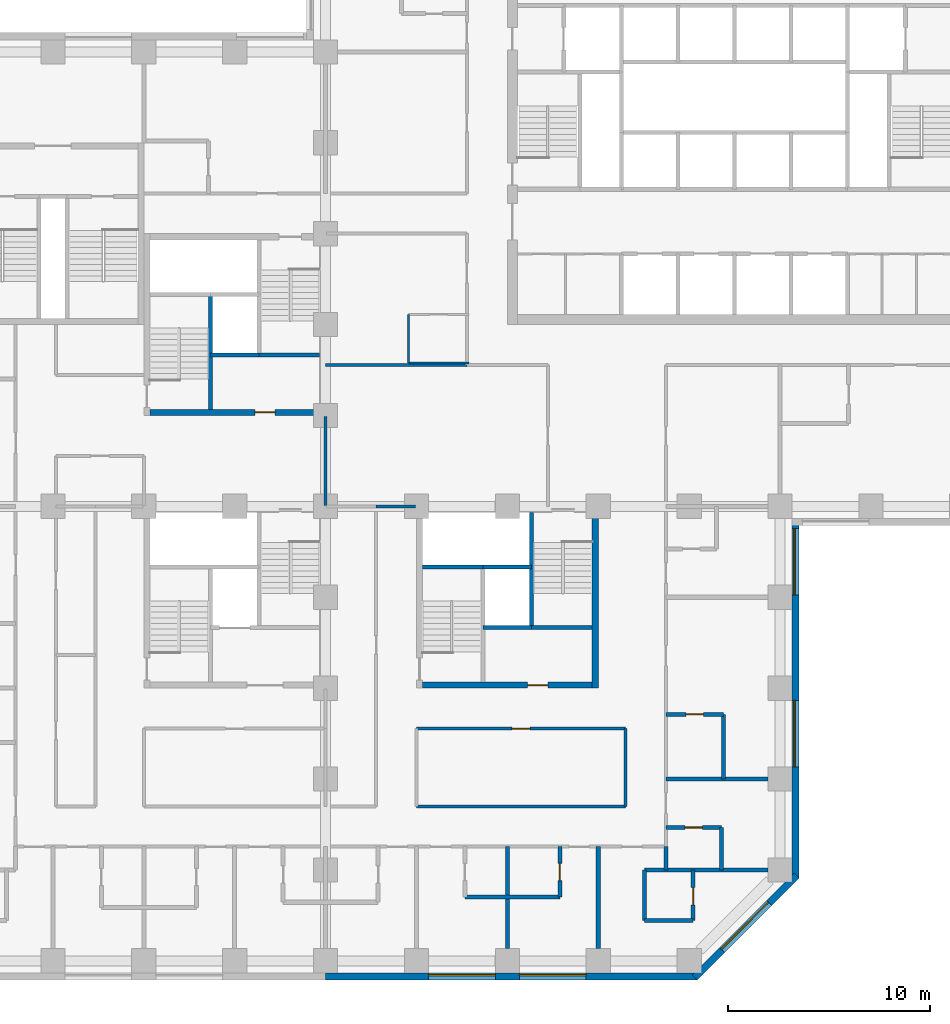
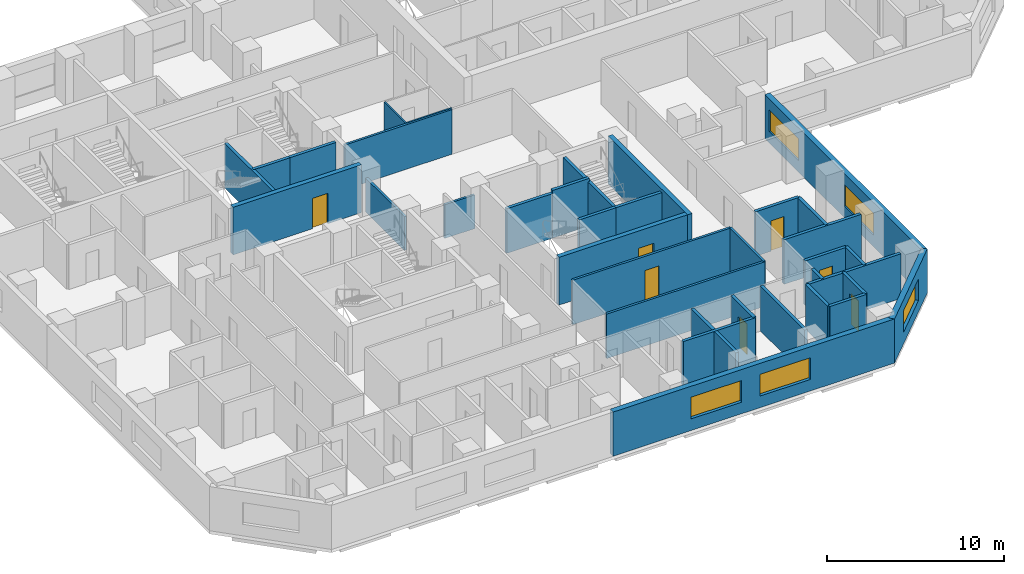
# One storey, part 4 of 12: 36 walls, 7 doors, 5 windows, 12 openings.
"""IFC4 building model written with IfcOpenShell, lengths in metres."""

from ifc_helpers import new_model, si_unit, direction, frame, frame_2d, origin, place, context, subcontext, project, spatial, rectangle, extrude, material, layer, layer_set, constituent, constituent_set, type_object, element, fill, save


model = new_model("IFC4")

# Units and contexts
model_context = context("Model", 3, precision=1e-05, world=origin(), true_north=direction((0.0, 1.0)))
body_context = subcontext(model_context, "Body", "Model", "MODEL_VIEW")
ifc_project = project(units=[si_unit("LENGTHUNIT", "METRE"), si_unit("AREAUNIT", "SQUARE_METRE"), si_unit("VOLUMEUNIT", "CUBIC_METRE"), si_unit("PLANEANGLEUNIT", "RADIAN"), si_unit("MASSUNIT", "GRAM", prefix="KILO")], contexts=[model_context])

# Site, building, storey
site_placement = place(None, origin())
site = spatial("IfcSite", under=ifc_project, at=site_placement, CompositionType="ELEMENT")
building_placement = place(site_placement, origin())
building = spatial("IfcBuilding", under=site, at=building_placement, Name="Quoin Convention Tower", CompositionType="ELEMENT")
storey_placement = place(building_placement, frame((0.0, 0.0, 29.699951171875)))
storey = spatial("IfcBuildingStorey", under=building, at=storey_placement, Name="L06", CompositionType="ELEMENT", Elevation=29.699951171875)

# Wall, openings, windows
ifc_material_1 = material(Name="Brick masonry", Category="masonry")
ifc_layer_1 = layer(ifc_material_1, 0.35009765625)
ifc_layer_set_1 = layer_set([ifc_layer_1], Name="Brick masonry")
wall_type_1 = type_object("IfcWallType", Name="Brick facade wall", PredefinedType="STANDARD", material=ifc_layer_set_1)
wall_1_placement = place(storey_placement, frame((36.0, 17.22509765625, 0.0), z_axis=(0.0, 0.0, 1.0), x_axis=(1.0, 0.0, 0.0)))
wall_1 = element("IfcWall", 1, at=wall_1_placement, inside=storey, type_object=wall_type_1, Name="fw-L06-36000_18000", PredefinedType="STANDARD", context=body_context, shape_type="SweptSolid", body=[
    extrude(rectangle(XDim=18.3935546875, YDim=0.35009765625, at=frame_2d((9.19677734375, 0.0))), origin(), (0.0, 0.0, 1.0), 3.054931640625),
])
opening_1_placement = place(wall_1_placement, frame((5.10009765625, 0.0, 0.800048828125)))
opening_1 = element("IfcOpeningElement", 2, at=opening_1_placement, cuts=wall_1, Name="Opening W-01", PredefinedType="OPENING", context=body_context, shape_type="SweptSolid", body=[
    extrude(rectangle(XDim=3.300048828125, YDim=1.5, at=frame_2d((1.64990234375, 0.75))), frame((0.0, 0.18505859375, 0.0), z_axis=(0.0, -1.0, 0.0), x_axis=(1.0, 0.0, 0.0)), (0.0, 0.0, 1.0), 0.3701171875),
])
opening_2_placement = place(wall_1_placement, frame((9.60009765625, 0.0, 0.800048828125)))
opening_2 = element("IfcOpeningElement", 3, at=opening_2_placement, cuts=wall_1, Name="Opening W-01", PredefinedType="OPENING", context=body_context, shape_type="SweptSolid", body=[
    extrude(rectangle(XDim=3.300048828125, YDim=1.5, at=frame_2d((1.64990234375, 0.75))), frame((0.0, 0.18505859375, 0.0), z_axis=(0.0, -1.0, 0.0), x_axis=(1.0, 0.0, 0.0)), (0.0, 0.0, 1.0), 0.3701171875),
])
ifc_material_2 = material(Name="Aluminium", Category="aluminium")
ifc_constituent_1 = constituent(ifc_material_2, Name="Frame")
ifc_material_3 = material(Name="Insulated glass", Category="glass")
ifc_constituent_2 = constituent(ifc_material_3, Name="Glazing")
ifc_constituent_set = constituent_set(constituents=[ifc_constituent_1, ifc_constituent_2], Name="Aluminium")
window_type = type_object("IfcWindowType", Name="Hotel strip window", PartitioningType="DOUBLE_PANEL_VERTICAL", PredefinedType="WINDOW", material=ifc_constituent_set)
window_1_placement = place(opening_1_placement, origin())
window_1 = element("IfcWindow", 4, at=window_1_placement, inside=storey, type_object=window_type, Name="win-L06-42750_17225", OverallHeight=1.5, OverallWidth=3.300048828125, PartitioningType="SINGLE_PANEL", PredefinedType="WINDOW", context=body_context, shape_type="SweptSolid", body=[
    extrude(rectangle(XDim=3.300048828125, YDim=1.5, at=frame_2d((1.64990234375, 0.75))), frame((0.0, 0.0849609375, 0.0), z_axis=(0.0, -1.0, 0.0), x_axis=(1.0, 0.0, 0.0)), (0.0, 0.0, 1.0), 0.06005859375),
])
fill(opening_1, window_1)
window_2_placement = place(opening_2_placement, origin())
window_2 = element("IfcWindow", 5, at=window_2_placement, inside=storey, type_object=window_type, Name="win-L06-47250_17225", OverallHeight=1.5, OverallWidth=3.300048828125, PartitioningType="SINGLE_PANEL", PredefinedType="WINDOW", context=body_context, shape_type="SweptSolid", body=[
    extrude(rectangle(XDim=3.300048828125, YDim=1.5, at=frame_2d((1.64990234375, 0.75))), frame((0.0, 0.0849609375, 0.0), z_axis=(0.0, -1.0, 0.0), x_axis=(1.0, 0.0, 0.0)), (0.0, 0.0, 1.0), 0.06005859375),
])
fill(opening_2, window_2)

# Wall, opening, window
wall_2_placement = place(storey_placement, frame((54.269775390625, 17.173583984375, 0.0), z_axis=(0.0, 0.0, 1.0), x_axis=(0.707106781187, 0.707106781187, 0.0)))
wall_2 = element("IfcWall", 6, at=wall_2_placement, inside=storey, type_object=wall_type_1, Name="fw-L06-54000_18000", PredefinedType="STANDARD", context=body_context, shape_type="SweptSolid", body=[
    extrude(rectangle(XDim=7.151123046875, YDim=0.35009765625, at=frame_2d((3.57568359375, 0.0))), origin(), (0.0, 0.0, 1.0), 3.054931640625),
])
opening_3_placement = place(wall_2_placement, frame((1.925537109375, 0.0, 0.800048828125)))
opening_3 = element("IfcOpeningElement", 7, at=opening_3_placement, cuts=wall_2, Name="Opening W-01", PredefinedType="OPENING", context=body_context, shape_type="SweptSolid", body=[
    extrude(rectangle(XDim=3.300048828125, YDim=1.5, at=frame_2d((1.64990234375, 0.75))), frame((0.0, 0.18505859375, 0.0), z_axis=(0.0, -1.0, 0.0), x_axis=(1.0, 0.0, 0.0)), (0.0, 0.0, 1.0), 0.3701171875),
])
window_3_placement = place(opening_3_placement, origin())
window_3 = element("IfcWindow", 8, at=window_3_placement, inside=storey, type_object=window_type, Name="win-L06-56798_19702", OverallHeight=1.5, OverallWidth=3.300048828125, PartitioningType="SINGLE_PANEL", PredefinedType="WINDOW", context=body_context, shape_type="SweptSolid", body=[
    extrude(rectangle(XDim=3.300048828125, YDim=1.5, at=frame_2d((1.64990234375, 0.75))), frame((0.0, 0.0849609375, 0.0), z_axis=(0.0, -1.0, 0.0), x_axis=(1.0, 0.0, 0.0)), (0.0, 0.0, 1.0), 0.06005859375),
])
fill(opening_3, window_3)

# Wall, openings, windows
wall_3_placement = place(storey_placement, frame((59.27490234375, 22.1064453125, 0.0), z_axis=(0.0, 0.0, 1.0), x_axis=(0.0, 1.0, 0.0)))
wall_3 = element("IfcWall", 9, at=wall_3_placement, inside=storey, type_object=wall_type_1, Name="fw-L06-58500_22500", PredefinedType="STANDARD", context=body_context, shape_type="SweptSolid", body=[
    extrude(rectangle(XDim=17.79345703125, YDim=0.35009765625, at=frame_2d((8.896728515625, 0.0))), origin(), (0.0, 0.0, 1.0), 3.054931640625),
])
opening_4_placement = place(wall_3_placement, frame((5.493408203125, 0.0, 0.800048828125)))
opening_4 = element("IfcOpeningElement", 10, at=opening_4_placement, cuts=wall_3, Name="Opening W-01", PredefinedType="OPENING", context=body_context, shape_type="SweptSolid", body=[
    extrude(rectangle(XDim=3.300048828125, YDim=1.5, at=frame_2d((1.64990234375, 0.75))), frame((0.0, 0.18505859375, 0.0), z_axis=(0.0, -1.0, 0.0), x_axis=(1.0, 0.0, 0.0)), (0.0, 0.0, 1.0), 0.3701171875),
])
opening_5_placement = place(wall_3_placement, frame((13.993408203125, 0.0, 0.800048828125)))
opening_5 = element("IfcOpeningElement", 11, at=opening_5_placement, cuts=wall_3, Name="Opening W-01", PredefinedType="OPENING", context=body_context, shape_type="SweptSolid", body=[
    extrude(rectangle(XDim=3.300048828125, YDim=1.5, at=frame_2d((1.64990234375, 0.75))), frame((0.0, 0.18505859375, 0.0), z_axis=(0.0, -1.0, 0.0), x_axis=(1.0, 0.0, 0.0)), (0.0, 0.0, 1.0), 0.3701171875),
])
window_4_placement = place(opening_4_placement, origin())
window_4 = element("IfcWindow", 12, at=window_4_placement, inside=storey, type_object=window_type, Name="win-L06-59275_29250", OverallHeight=1.5, OverallWidth=3.300048828125, PartitioningType="SINGLE_PANEL", PredefinedType="WINDOW", context=body_context, shape_type="SweptSolid", body=[
    extrude(rectangle(XDim=3.300048828125, YDim=1.5, at=frame_2d((1.64990234375, 0.75))), frame((0.0, 0.0849609375, 0.0), z_axis=(0.0, -1.0, 0.0), x_axis=(1.0, 0.0, 0.0)), (0.0, 0.0, 1.0), 0.06005859375),
])
fill(opening_4, window_4)
window_5_placement = place(opening_5_placement, origin())
window_5 = element("IfcWindow", 13, at=window_5_placement, inside=storey, type_object=window_type, Name="win-L06-59275_38250", OverallHeight=1.5, OverallWidth=3.300048828125, PartitioningType="SINGLE_PANEL", PredefinedType="WINDOW", context=body_context, shape_type="SweptSolid", body=[
    extrude(rectangle(XDim=3.300048828125, YDim=1.5, at=frame_2d((1.64990234375, 0.75))), frame((0.0, 0.0849609375, 0.0), z_axis=(0.0, -1.0, 0.0), x_axis=(1.0, 0.0, 0.0)), (0.0, 0.0, 1.0), 0.06005859375),
])
fill(opening_5, window_5)

# Walls
ifc_material_4 = material(Name="Concrete C50", Category="concrete")
ifc_layer_2 = layer(ifc_material_4, 0.199951171875)
ifc_layer_set_2 = layer_set([ifc_layer_2], Name="Concrete C50")
wall_type_2 = type_object("IfcWallType", Name="Core shaft wall", PredefinedType="SOLIDWALL", material=ifc_layer_set_2)
wall_4_placement = place(storey_placement, frame((30.300048828125, 48.0, 0.0), z_axis=(0.0, 0.0, 1.0), x_axis=(1.0, 0.0, 0.0)))
element("IfcWall", 14, at=wall_4_placement, inside=storey, type_object=wall_type_2, Name="cr-P2-L06-h3000_3300", PredefinedType="SOLIDWALL", context=body_context, shape_type="SweptSolid", body=[
    extrude(rectangle(XDim=2.39990234375, YDim=0.199951171875, at=frame_2d((1.199951171875, 0.0))), origin(), (0.0, 0.0, 1.0), 3.080078125),
])
wall_5_placement = place(storey_placement, frame((32.699951171875, 48.0, 0.0), z_axis=(0.0, 0.0, 1.0), x_axis=(1.0, 0.0, 0.0)))
element("IfcWall", 15, at=wall_5_placement, inside=storey, type_object=wall_type_2, Name="cr-P2-L06-h3000_5700", PredefinedType="SOLIDWALL", context=body_context, shape_type="SweptSolid", body=[
    extrude(rectangle(XDim=3.0, YDim=0.199951171875, at=frame_2d((1.5, 0.0))), origin(), (0.0, 0.0, 1.0), 3.080078125),
])
wall_6_placement = place(storey_placement, frame((30.300048828125, 45.300048828125, 0.0), z_axis=(0.0, 0.0, 1.0), x_axis=(0.0, 1.0, 0.0)))
element("IfcWall", 16, at=wall_6_placement, inside=storey, type_object=wall_type_2, Name="cr-P2-L06-v3300_300", PredefinedType="SOLIDWALL", context=body_context, shape_type="SweptSolid", body=[
    extrude(rectangle(XDim=5.699951171875, YDim=0.199951171875, at=frame_2d((2.85009765625, 0.0))), origin(), (0.0, 0.0, 1.0), 3.080078125),
])
wall_7_placement = place(storey_placement, frame((43.800048828125, 34.5, 0.0), z_axis=(0.0, 0.0, 1.0), x_axis=(1.0, 0.0, 0.0)))
element("IfcWall", 17, at=wall_7_placement, inside=storey, type_object=wall_type_2, Name="cr-P3-L06-h3000_3300", PredefinedType="SOLIDWALL", context=body_context, shape_type="SweptSolid", body=[
    extrude(rectangle(XDim=2.39990234375, YDim=0.199951171875, at=frame_2d((1.199951171875, 0.0))), origin(), (0.0, 0.0, 1.0), 3.080078125),
])
for number, where, z_axis, x_axis, name in (
    (18, (46.199951171875, 34.5, 0.0), (0.0, 0.0, 1.0), (1.0, 0.0, 0.0), "cr-P3-L06-h3000_5700"),
    (19, (40.800048828125, 37.5, 0.0), (0.0, 0.0, 1.0), (1.0, 0.0, 0.0), "cr-P3-L06-h6000_300"),
):
    element("IfcWall", number, at=place(storey_placement, frame(where, z_axis=z_axis, x_axis=x_axis)), inside=storey, type_object=wall_type_2, Name=name, PredefinedType="SOLIDWALL", context=body_context, shape_type="SweptSolid", body=[
        extrude(rectangle(XDim=3.0, YDim=0.199951171875, at=frame_2d((1.5, 0.0))), origin(), (0.0, 0.0, 1.0), 3.080078125),
    ])
wall_8_placement = place(storey_placement, frame((46.199951171875, 34.5, 0.0), z_axis=(0.0, 0.0, 1.0), x_axis=(0.0, 1.0, 0.0)))
element("IfcWall", 20, at=wall_8_placement, inside=storey, type_object=wall_type_2, Name="cr-P3-L06-v5700_3000", PredefinedType="SOLIDWALL", context=body_context, shape_type="SweptSolid", body=[
    extrude(rectangle(XDim=5.699951171875, YDim=0.199951171875, at=frame_2d((2.85009765625, 0.0))), origin(), (0.0, 0.0, 1.0), 3.080078125),
])
ifc_layer_3 = layer(ifc_material_4, 0.199951171875)
ifc_layer_set_3 = layer_set([ifc_layer_3], Name="Concrete C50")
wall_type_3 = type_object("IfcWallType", Name="Core shaft wall to the floor level over", PredefinedType="SOLIDWALL", material=ifc_layer_set_3)
wall_9_placement = place(storey_placement, frame((43.800048828125, 37.5, 0.0), z_axis=(0.0, 0.0, 1.0), x_axis=(1.0, 0.0, 0.0)))
element("IfcWall", 21, at=wall_9_placement, inside=storey, type_object=wall_type_3, Name="cr-P3-L06-h6000_3300", PredefinedType="SOLIDWALL", context=body_context, shape_type="SweptSolid", body=[
    extrude(rectangle(XDim=2.39990234375, YDim=0.199951171875, at=frame_2d((1.199951171875, 0.0))), origin(), (0.0, 0.0, 1.0), 3.300048828125),
])

# Wall, opening, door
ifc_material_5 = material(Name="Concrete C80", Category="concrete")
ifc_layer_4 = layer(ifc_material_5, 0.300048828125)
ifc_layer_set_4 = layer_set([ifc_layer_4], Name="Concrete C80")
wall_type_4 = type_object("IfcWallType", Name="RC CORE WALL 300 C80", PredefinedType="SHEAR", material=ifc_layer_set_4)
wall_10_placement = place(storey_placement, frame((27.300048828125, 45.14990234375, 0.0), z_axis=(0.0, 0.0, 1.0), x_axis=(1.0, 0.0, 0.0)))
wall_10 = element("IfcWall", 22, at=wall_10_placement, inside=storey, type_object=wall_type_4, Name="cwl-P2-L06-S", PredefinedType="SHEAR", context=body_context, shape_type="SweptSolid", body=[
    extrude(rectangle(XDim=8.39990234375, YDim=0.300048828125, at=frame_2d((4.199951171875, 0.0))), origin(), (0.0, 0.0, 1.0), 3.300048828125),
])
opening_6_placement = place(wall_10_placement, frame((5.199951171875, 0.0, 0.0)))
opening_6 = element("IfcOpeningElement", 23, at=opening_6_placement, cuts=wall_10, Name="Opening DCV2-41", PredefinedType="OPENING", context=body_context, shape_type="SweptSolid", body=[
    extrude(rectangle(XDim=1.0, YDim=2.10009765625, at=frame_2d((0.5, 1.050048828125))), frame((0.0, 0.159912109375, 0.0), z_axis=(0.0, -1.0, 0.0), x_axis=(1.0, 0.0, 0.0)), (0.0, 0.0, 1.0), 0.320068359375),
])
ifc_material_6 = material(Name="Steel door leaf", Category="steel")
door_type_1 = type_object("IfcDoorType", Name="Service door 1000 x 2100", OperationType="SINGLE_SWING_LEFT", PredefinedType="DOOR", material=ifc_material_6)
door_1_placement = place(opening_6_placement, origin())
door_1 = element("IfcDoor", 24, at=door_1_placement, inside=storey, type_object=door_type_1, Name="cd-P2-L06-R2-S", OperationType="SINGLE_SWING_LEFT", OverallHeight=2.10009765625, OverallWidth=1.0, PredefinedType="DOOR", context=body_context, shape_type="SweptSolid", body=[
    extrude(rectangle(XDim=1.0, YDim=2.10009765625, at=frame_2d((0.5, 1.050048828125))), frame((0.0, 0.02490234375, 0.0), z_axis=(0.0, -1.0, 0.0), x_axis=(1.0, 0.0, 0.0)), (0.0, 0.0, 1.0), 0.050048828125),
])
fill(opening_6, door_1)

wall_11_placement = place(storey_placement, frame((40.800048828125, 31.64990234375, 0.0), z_axis=(0.0, 0.0, 1.0), x_axis=(1.0, 0.0, 0.0)))
wall_11 = element("IfcWall", 25, at=wall_11_placement, inside=storey, type_object=wall_type_4, Name="cwl-P3-L06-S", PredefinedType="SHEAR", context=body_context, shape_type="SweptSolid", body=[
    extrude(rectangle(XDim=8.39990234375, YDim=0.300048828125, at=frame_2d((4.199951171875, 0.0))), origin(), (0.0, 0.0, 1.0), 3.300048828125),
])
opening_7_placement = place(wall_11_placement, frame((5.199951171875, 0.0, 0.0)))
opening_7 = element("IfcOpeningElement", 26, at=opening_7_placement, cuts=wall_11, Name="Opening DCV2-42", PredefinedType="OPENING", context=body_context, shape_type="SweptSolid", body=[
    extrude(rectangle(XDim=1.0, YDim=2.10009765625, at=frame_2d((0.5, 1.050048828125))), frame((0.0, 0.159912109375, 0.0), z_axis=(0.0, -1.0, 0.0), x_axis=(1.0, 0.0, 0.0)), (0.0, 0.0, 1.0), 0.320068359375),
])
door_2_placement = place(opening_7_placement, origin())
door_2 = element("IfcDoor", 27, at=door_2_placement, inside=storey, type_object=door_type_1, Name="cd-P3-L06-R2-S", OperationType="SINGLE_SWING_LEFT", OverallHeight=2.10009765625, OverallWidth=1.0, PredefinedType="DOOR", context=body_context, shape_type="SweptSolid", body=[
    extrude(rectangle(XDim=1.0, YDim=2.10009765625, at=frame_2d((0.5, 1.050048828125))), frame((0.0, 0.02490234375, 0.0), z_axis=(0.0, -1.0, 0.0), x_axis=(1.0, 0.0, 0.0)), (0.0, 0.0, 1.0), 0.050048828125),
])
fill(opening_7, door_2)

# Walls
wall_12_placement = place(storey_placement, frame((49.35009765625, 31.5, 0.0), z_axis=(0.0, 0.0, 1.0), x_axis=(0.0, 1.0, 0.0)))
element("IfcWall", 28, at=wall_12_placement, inside=storey, type_object=wall_type_4, Name="cwl-P3-L06-E", PredefinedType="SHEAR", context=body_context, shape_type="SweptSolid", body=[
    extrude(rectangle(XDim=9.0, YDim=0.300048828125, at=frame_2d((4.5, 0.0))), origin(), (0.0, 0.0, 1.0), 3.300048828125),
])
ifc_layer_5 = layer(ifc_material_4, 0.199951171875)
ifc_layer_set_5 = layer_set([ifc_layer_5], Name="Concrete C50")
wall_type_5 = type_object("IfcWallType", Name="RC party wall", PredefinedType="SOLIDWALL", material=ifc_layer_set_5)
for number, where, z_axis, x_axis, name in (
    (29, (45.0, 18.60009765625, 0.0), (0.0, 0.0, 1.0), (0.0, 1.0, 0.0), "pw-L06-042"),
    (30, (49.5, 18.60009765625, 0.0), (0.0, 0.0, 1.0), (0.0, 1.0, 0.0), "pw-L06-043"),
):
    element("IfcWall", number, at=place(storey_placement, frame(where, z_axis=z_axis, x_axis=x_axis)), inside=storey, type_object=wall_type_5, Name=name, PredefinedType="SOLIDWALL", context=body_context, shape_type="SweptSolid", body=[
        extrude(rectangle(XDim=5.0498046875, YDim=0.199951171875, at=frame_2d((2.52490234375, 0.0))), origin(), (0.0, 0.0, 1.0), 3.080078125),
    ])
wall_13_placement = place(storey_placement, frame((51.800048828125, 20.0, 0.0), z_axis=(0.0, 0.0, 1.0), x_axis=(1.0, 0.0, 0.0)))
element("IfcWall", 31, at=wall_13_placement, inside=storey, type_object=wall_type_5, Name="pw-L06-047", PredefinedType="SOLIDWALL", context=body_context, shape_type="SweptSolid", body=[
    extrude(rectangle(XDim=2.39990234375, YDim=0.199951171875, at=frame_2d((1.199951171875, 0.0))), origin(), (0.0, 0.0, 1.0), 3.080078125),
])
wall_14_placement = place(storey_placement, frame((51.800048828125, 20.0, 0.0), z_axis=(0.0, 0.0, 1.0), x_axis=(0.0, 1.0, 0.0)))
element("IfcWall", 32, at=wall_14_placement, inside=storey, type_object=wall_type_5, Name="pw-L06-048", PredefinedType="SOLIDWALL", context=body_context, shape_type="SweptSolid", body=[
    extrude(rectangle(XDim=2.5, YDim=0.199951171875, at=frame_2d((1.25, 0.0))), origin(), (0.0, 0.0, 1.0), 3.080078125),
])

# Wall, opening, door
wall_15_placement = place(storey_placement, frame((54.199951171875, 20.0, 0.0), z_axis=(0.0, 0.0, 1.0), x_axis=(0.0, 1.0, 0.0)))
wall_15 = element("IfcWall", 33, at=wall_15_placement, inside=storey, type_object=wall_type_5, Name="pw-L06-049", PredefinedType="SOLIDWALL", context=body_context, shape_type="SweptSolid", body=[
    extrude(rectangle(XDim=2.5, YDim=0.199951171875, at=frame_2d((1.25, 0.0))), origin(), (0.0, 0.0, 1.0), 3.080078125),
])
opening_8_placement = place(wall_15_placement, frame((0.77490234375, 0.0, 0.0)))
opening_8 = element("IfcOpeningElement", 34, at=opening_8_placement, cuts=wall_15, Name="Opening DHOTEL-B-43", PredefinedType="OPENING", context=body_context, shape_type="SweptSolid", body=[
    extrude(rectangle(XDim=0.85009765625, YDim=2.10009765625, at=frame_2d((0.425048828125, 1.050048828125))), frame((0.0, 0.10986328125, 0.0), z_axis=(0.0, -1.0, 0.0), x_axis=(1.0, 0.0, 0.0)), (0.0, 0.0, 1.0), 0.219970703125),
])
door_type_2 = type_object("IfcDoorType", Name="Bathroom door", OperationType="SINGLE_SWING_LEFT", PredefinedType="DOOR", material=ifc_material_6)
door_3_placement = place(opening_8_placement, frame((0.85009765625, 0.0, 0.0), z_axis=(0.0, 0.0, 1.0), x_axis=(-1.0, 0.0, 0.0)))
door_3 = element("IfcDoor", 35, at=door_3_placement, inside=storey, type_object=door_type_2, Name="dr-L06-060", OperationType="SINGLE_SWING_LEFT", OverallHeight=2.10009765625, OverallWidth=0.85009765625, PredefinedType="DOOR", context=body_context, shape_type="SweptSolid", body=[
    extrude(rectangle(XDim=0.85009765625, YDim=2.10009765625, at=frame_2d((0.425048828125, 1.050048828125))), frame((0.0, 0.02490234375, 0.0), z_axis=(0.0, -1.0, 0.0), x_axis=(1.0, 0.0, 0.0)), (0.0, 0.0, 1.0), 0.050048828125),
])
fill(opening_8, door_3)

# Wall
wall_16_placement = place(storey_placement, frame((42.89990234375, 21.14990234375, 0.0), z_axis=(0.0, 0.0, 1.0), x_axis=(1.0, 0.0, 0.0)))
element("IfcWall", 36, at=wall_16_placement, inside=storey, type_object=wall_type_5, Name="pw-L06-056", PredefinedType="SOLIDWALL", context=body_context, shape_type="SweptSolid", body=[
    extrude(rectangle(XDim=4.7001953125, YDim=0.199951171875, at=frame_2d((2.35009765625, 0.0))), origin(), (0.0, 0.0, 1.0), 3.080078125),
])

# Wall, opening, door
wall_17_placement = place(storey_placement, frame((47.60009765625, 21.14990234375, 0.0), z_axis=(0.0, 0.0, 1.0), x_axis=(0.0, 1.0, 0.0)))
wall_17 = element("IfcWall", 37, at=wall_17_placement, inside=storey, type_object=wall_type_5, Name="pw-L06-058", PredefinedType="SOLIDWALL", context=body_context, shape_type="SweptSolid", body=[
    extrude(rectangle(XDim=2.5, YDim=0.199951171875, at=frame_2d((1.25, 0.0))), origin(), (0.0, 0.0, 1.0), 3.080078125),
])
opening_9_placement = place(wall_17_placement, frame((0.824951171875, 0.0, 0.0)))
opening_9 = element("IfcOpeningElement", 38, at=opening_9_placement, cuts=wall_17, Name="Opening DHOTEL-B-49", PredefinedType="OPENING", context=body_context, shape_type="SweptSolid", body=[
    extrude(rectangle(XDim=0.85009765625, YDim=2.10009765625, at=frame_2d((0.425048828125, 1.050048828125))), frame((0.0, 0.10986328125, 0.0), z_axis=(0.0, -1.0, 0.0), x_axis=(1.0, 0.0, 0.0)), (0.0, 0.0, 1.0), 0.219970703125),
])
door_4_placement = place(opening_9_placement, origin())
door_4 = element("IfcDoor", 39, at=door_4_placement, inside=storey, type_object=door_type_2, Name="dr-L06-012", OperationType="SINGLE_SWING_RIGHT", OverallHeight=2.10009765625, OverallWidth=0.85009765625, PredefinedType="DOOR", context=body_context, shape_type="SweptSolid", body=[
    extrude(rectangle(XDim=0.85009765625, YDim=2.10009765625, at=frame_2d((0.425048828125, 1.050048828125))), frame((0.0, 0.02490234375, 0.0), z_axis=(0.0, -1.0, 0.0), x_axis=(1.0, 0.0, 0.0)), (0.0, 0.0, 1.0), 0.050048828125),
])
fill(opening_9, door_4)

# Walls
wall_18_placement = place(storey_placement, frame((51.800048828125, 22.5, 0.0), z_axis=(0.0, 0.0, 1.0), x_axis=(1.0, 0.0, 0.0)))
element("IfcWall", 40, at=wall_18_placement, inside=storey, type_object=wall_type_5, Name="pw-L06-061", PredefinedType="SOLIDWALL", context=body_context, shape_type="SweptSolid", body=[
    extrude(rectangle(XDim=6.099853515625, YDim=0.199951171875, at=frame_2d((3.0498046875, 0.0))), origin(), (0.0, 0.0, 1.0), 3.080078125),
])
wall_19_placement = place(storey_placement, frame((52.85009765625, 22.5, 0.0), z_axis=(0.0, 0.0, 1.0), x_axis=(0.0, 1.0, 0.0)))
element("IfcWall", 41, at=wall_19_placement, inside=storey, type_object=wall_type_5, Name="pw-L06-062", PredefinedType="SOLIDWALL", context=body_context, shape_type="SweptSolid", body=[
    extrude(rectangle(XDim=1.14990234375, YDim=0.199951171875, at=frame_2d((0.574951171875, 0.0))), origin(), (0.0, 0.0, 1.0), 3.080078125),
])
wall_20_placement = place(storey_placement, frame((55.60009765625, 22.5, 0.0), z_axis=(0.0, 0.0, 1.0), x_axis=(0.0, 1.0, 0.0)))
element("IfcWall", 42, at=wall_20_placement, inside=storey, type_object=wall_type_5, Name="pw-L06-063", PredefinedType="SOLIDWALL", context=body_context, shape_type="SweptSolid", body=[
    extrude(rectangle(XDim=2.10009765625, YDim=0.199951171875, at=frame_2d((1.050048828125, 0.0))), origin(), (0.0, 0.0, 1.0), 3.080078125),
])

# Wall, opening, door
wall_21_placement = place(storey_placement, frame((52.85009765625, 24.60009765625, 0.0), z_axis=(0.0, 0.0, 1.0), x_axis=(1.0, 0.0, 0.0)))
wall_21 = element("IfcWall", 43, at=wall_21_placement, inside=storey, type_object=wall_type_5, Name="pw-L06-064", PredefinedType="SOLIDWALL", context=body_context, shape_type="SweptSolid", body=[
    extrude(rectangle(XDim=2.75, YDim=0.199951171875, at=frame_2d((1.375, 0.0))), origin(), (0.0, 0.0, 1.0), 3.080078125),
])
opening_10_placement = place(wall_21_placement, frame((0.949951171875, 0.0, 0.0)))
opening_10 = element("IfcOpeningElement", 44, at=opening_10_placement, cuts=wall_21, Name="Opening DHOTEL-B-50", PredefinedType="OPENING", context=body_context, shape_type="SweptSolid", body=[
    extrude(rectangle(XDim=0.85009765625, YDim=2.10009765625, at=frame_2d((0.425048828125, 1.050048828125))), frame((0.0, 0.10986328125, 0.0), z_axis=(0.0, -1.0, 0.0), x_axis=(1.0, 0.0, 0.0)), (0.0, 0.0, 1.0), 0.219970703125),
])
door_5_placement = place(opening_10_placement, origin())
door_5 = element("IfcDoor", 45, at=door_5_placement, inside=storey, type_object=door_type_2, Name="dr-L06-022", OperationType="SINGLE_SWING_LEFT", OverallHeight=2.10009765625, OverallWidth=0.85009765625, PredefinedType="DOOR", context=body_context, shape_type="SweptSolid", body=[
    extrude(rectangle(XDim=0.85009765625, YDim=2.10009765625, at=frame_2d((0.425048828125, 1.050048828125))), frame((0.0, 0.02490234375, 0.0), z_axis=(0.0, -1.0, 0.0), x_axis=(1.0, 0.0, 0.0)), (0.0, 0.0, 1.0), 0.050048828125),
])
fill(opening_10, door_5)

# Walls
wall_22_placement = place(storey_placement, frame((52.85009765625, 27.0, 0.0), z_axis=(0.0, 0.0, 1.0), x_axis=(1.0, 0.0, 0.0)))
element("IfcWall", 46, at=wall_22_placement, inside=storey, type_object=wall_type_5, Name="pw-L06-065", PredefinedType="SOLIDWALL", context=body_context, shape_type="SweptSolid", body=[
    extrude(rectangle(XDim=5.0498046875, YDim=0.199951171875, at=frame_2d((2.52490234375, 0.0))), origin(), (0.0, 0.0, 1.0), 3.080078125),
])
wall_23_placement = place(storey_placement, frame((55.699951171875, 27.0, 0.0), z_axis=(0.0, 0.0, 1.0), x_axis=(0.0, 1.0, 0.0)))
element("IfcWall", 47, at=wall_23_placement, inside=storey, type_object=wall_type_5, Name="pw-L06-066", PredefinedType="SOLIDWALL", context=body_context, shape_type="SweptSolid", body=[
    extrude(rectangle(XDim=3.199951171875, YDim=0.199951171875, at=frame_2d((1.60009765625, 0.0))), origin(), (0.0, 0.0, 1.0), 3.080078125),
])

# Wall, opening, door
wall_24_placement = place(storey_placement, frame((52.85009765625, 30.199951171875, 0.0), z_axis=(0.0, 0.0, 1.0), x_axis=(1.0, 0.0, 0.0)))
wall_24 = element("IfcWall", 48, at=wall_24_placement, inside=storey, type_object=wall_type_5, Name="pw-L06-069", PredefinedType="SOLIDWALL", context=body_context, shape_type="SweptSolid", body=[
    extrude(rectangle(XDim=2.849853515625, YDim=0.199951171875, at=frame_2d((1.4248046875, 0.0))), origin(), (0.0, 0.0, 1.0), 3.080078125),
])
opening_11_placement = place(wall_24_placement, frame((1.0, 0.0, 0.0)))
opening_11 = element("IfcOpeningElement", 49, at=opening_11_placement, cuts=wall_24, Name="Opening DHOTEL-B-52", PredefinedType="OPENING", context=body_context, shape_type="SweptSolid", body=[
    extrude(rectangle(XDim=0.85009765625, YDim=2.10009765625, at=frame_2d((0.425048828125, 1.050048828125))), frame((0.0, 0.10986328125, 0.0), z_axis=(0.0, -1.0, 0.0), x_axis=(1.0, 0.0, 0.0)), (0.0, 0.0, 1.0), 0.219970703125),
])
door_6_placement = place(opening_11_placement, origin())
door_6 = element("IfcDoor", 50, at=door_6_placement, inside=storey, type_object=door_type_2, Name="dr-L06-024", OperationType="SINGLE_SWING_LEFT", OverallHeight=2.10009765625, OverallWidth=0.85009765625, PredefinedType="DOOR", context=body_context, shape_type="SweptSolid", body=[
    extrude(rectangle(XDim=0.85009765625, YDim=2.10009765625, at=frame_2d((0.425048828125, 1.050048828125))), frame((0.0, 0.02490234375, 0.0), z_axis=(0.0, -1.0, 0.0), x_axis=(1.0, 0.0, 0.0)), (0.0, 0.0, 1.0), 0.050048828125),
])
fill(opening_11, door_6)

# Walls
ifc_material_7 = material(Name="Plasterboard")
ifc_layer_6 = layer(ifc_material_7, 0.012451171875, Name="Finish")
ifc_material_8 = material(Name="Steel stud framing", Category="steel")
ifc_layer_7 = layer(ifc_material_8, 0.074951171875, Name="Structure")
ifc_layer_8 = layer(ifc_material_7, 0.012451171875, Name="Finish")
ifc_layer_set_6 = layer_set([ifc_layer_6, ifc_layer_7, ifc_layer_8], Name="Steel stud framing")
wall_type_6 = type_object("IfcWallType", Name="bathroom partition", PredefinedType="PARTITIONING", material=ifc_layer_set_6)
wall_25_placement = place(storey_placement, frame((40.10009765625, 50.0, 0.0), z_axis=(0.0, 0.0, 1.0), x_axis=(0.0, -1.0, 0.0)))
element("IfcWall", 51, at=wall_25_placement, inside=storey, type_object=wall_type_6, Name="pw-L06-w02", PredefinedType="PARTITIONING", context=body_context, shape_type="SweptSolid", body=[
    extrude(rectangle(XDim=2.39990234375, YDim=0.10009765625, at=frame_2d((1.199951171875, 0.0))), origin(), (0.0, 0.0, 1.0), 3.080078125),
])
wall_26_placement = place(storey_placement, frame((40.10009765625, 47.60009765625, 0.0), z_axis=(0.0, 0.0, 1.0), x_axis=(1.0, 0.0, 0.0)))
element("IfcWall", 52, at=wall_26_placement, inside=storey, type_object=wall_type_6, Name="pw-L06-w03", PredefinedType="PARTITIONING", context=body_context, shape_type="SweptSolid", body=[
    extrude(rectangle(XDim=3.0, YDim=0.10009765625, at=frame_2d((1.5, 0.0))), origin(), (0.0, 0.0, 1.0), 3.080078125),
])
ifc_layer_9 = layer(ifc_material_7, 0.012451171875, Name="Finish")
ifc_layer_10 = layer(ifc_material_8, 0.125, Name="Structure")
ifc_layer_11 = layer(ifc_material_7, 0.012451171875, Name="Finish")
ifc_layer_set_7 = layer_set([ifc_layer_9, ifc_layer_10, ifc_layer_11], Name="Steel stud framing")
wall_type_7 = type_object("IfcWallType", Name="corridor partition", PredefinedType="PARTITIONING", material=ifc_layer_set_7)
wall_27_placement = place(storey_placement, frame((40.5, 25.64990234375, 0.0), z_axis=(0.0, 0.0, 1.0), x_axis=(1.0, 0.0, 0.0)))
element("IfcWall", 53, at=wall_27_placement, inside=storey, type_object=wall_type_7, Name="pw-L06-014", PredefinedType="PARTITIONING", context=body_context, shape_type="SweptSolid", body=[
    extrude(rectangle(XDim=10.35009765625, YDim=0.14990234375, at=frame_2d((5.175048828125, 0.0))), origin(), (0.0, 0.0, 1.0), 3.080078125),
])
wall_28_placement = place(storey_placement, frame((50.85009765625, 25.64990234375, 0.0), z_axis=(0.0, 0.0, 1.0), x_axis=(0.0, 1.0, 0.0)))
element("IfcWall", 54, at=wall_28_placement, inside=storey, type_object=wall_type_7, Name="pw-L06-016", PredefinedType="PARTITIONING", context=body_context, shape_type="SweptSolid", body=[
    extrude(rectangle(XDim=3.85009765625, YDim=0.14990234375, at=frame_2d((1.925048828125, 0.0))), origin(), (0.0, 0.0, 1.0), 3.080078125),
])

# Wall, opening, door
wall_29_placement = place(storey_placement, frame((40.5, 29.5, 0.0), z_axis=(0.0, 0.0, 1.0), x_axis=(1.0, 0.0, 0.0)))
wall_29 = element("IfcWall", 55, at=wall_29_placement, inside=storey, type_object=wall_type_7, Name="pw-L06-019", PredefinedType="PARTITIONING", context=body_context, shape_type="SweptSolid", body=[
    extrude(rectangle(XDim=10.35009765625, YDim=0.14990234375, at=frame_2d((5.175048828125, 0.0))), origin(), (0.0, 0.0, 1.0), 3.080078125),
])
opening_12_placement = place(wall_29_placement, frame((4.72509765625, 0.0, 0.0)))
opening_12 = element("IfcOpeningElement", 56, at=opening_12_placement, cuts=wall_29, Name="Opening DHOTEL-B-20", PredefinedType="OPENING", context=body_context, shape_type="SweptSolid", body=[
    extrude(rectangle(XDim=0.89990234375, YDim=2.10009765625, at=frame_2d((0.449951171875, 1.050048828125))), frame((0.0, 0.0849609375, 0.0), z_axis=(0.0, -1.0, 0.0), x_axis=(1.0, 0.0, 0.0)), (0.0, 0.0, 1.0), 0.169921875),
])
door_type_3 = type_object("IfcDoorType", Name="Single room door", OperationType="SINGLE_SWING_RIGHT", PredefinedType="DOOR", material=ifc_material_6)
door_7_placement = place(opening_12_placement, frame((0.89990234375, 0.0, 0.0), z_axis=(0.0, 0.0, 1.0), x_axis=(-1.0, 0.0, 0.0)))
door_7 = element("IfcDoor", 57, at=door_7_placement, inside=storey, type_object=door_type_3, Name="dr-L06-072", OperationType="SINGLE_SWING_LEFT", OverallHeight=2.10009765625, OverallWidth=0.89990234375, PredefinedType="DOOR", context=body_context, shape_type="SweptSolid", body=[
    extrude(rectangle(XDim=0.89990234375, YDim=2.10009765625, at=frame_2d((0.449951171875, 1.050048828125))), frame((0.0, 0.02490234375, 0.0), z_axis=(0.0, -1.0, 0.0), x_axis=(1.0, 0.0, 0.0)), (0.0, 0.0, 1.0), 0.050048828125),
])
fill(opening_12, door_7)

# Walls
ifc_layer_12 = layer(ifc_material_7, 0.012451171875, Name="Finish")
ifc_layer_13 = layer(ifc_material_8, 0.125, Name="Structure")
ifc_layer_14 = layer(ifc_material_7, 0.012451171875, Name="Finish")
ifc_layer_set_8 = layer_set([ifc_layer_12, ifc_layer_13, ifc_layer_14], Name="Steel stud framing")
wall_type_8 = type_object("IfcWallType", Name="corridor partition under beam 750", PredefinedType="PARTITIONING", material=ifc_layer_set_8)
wall_30_placement = place(storey_placement, frame((38.5, 40.5, 0.0), z_axis=(0.0, 0.0, 1.0), x_axis=(1.0, 0.0, 0.0)))
element("IfcWall", 58, at=wall_30_placement, inside=storey, type_object=wall_type_8, Name="pw-L06-021", PredefinedType="PARTITIONING", context=body_context, shape_type="SweptSolid", body=[
    extrude(rectangle(XDim=1.949951171875, YDim=0.14990234375, at=frame_2d((0.97509765625, 0.0))), origin(), (0.0, 0.0, 1.0), 2.330078125),
])
wall_31_placement = place(storey_placement, frame((36.0, 40.550048828125, 0.0), z_axis=(0.0, 0.0, 1.0), x_axis=(0.0, 1.0, 0.0)))
element("IfcWall", 59, at=wall_31_placement, inside=storey, type_object=wall_type_8, Name="pw-L06-023", PredefinedType="PARTITIONING", context=body_context, shape_type="SweptSolid", body=[
    extrude(rectangle(XDim=4.39990234375, YDim=0.14990234375, at=frame_2d((2.199951171875, 0.0))), origin(), (0.0, 0.0, 1.0), 2.330078125),
])
ifc_layer_15 = layer(ifc_material_7, 0.012451171875, Name="Finish")
ifc_layer_16 = layer(ifc_material_8, 0.125, Name="Structure")
ifc_layer_17 = layer(ifc_material_7, 0.012451171875, Name="Finish")
ifc_layer_set_9 = layer_set([ifc_layer_15, ifc_layer_16, ifc_layer_17], Name="Steel stud framing")
wall_type_9 = type_object("IfcWallType", Name="room partition", PredefinedType="PARTITIONING", material=ifc_layer_set_9)
wall_32_placement = place(storey_placement, frame((36.0, 47.5, 0.0), z_axis=(0.0, 0.0, 1.0), x_axis=(1.0, 0.0, 0.0)))
element("IfcWall", 60, at=wall_32_placement, inside=storey, type_object=wall_type_9, Name="pw-L06-154", PredefinedType="PARTITIONING", context=body_context, shape_type="SweptSolid", body=[
    extrude(rectangle(XDim=7.0, YDim=0.14990234375, at=frame_2d((3.5, 0.0))), origin(), (0.0, 0.0, 1.0), 3.080078125),
])

save(model, "model.ifc")
